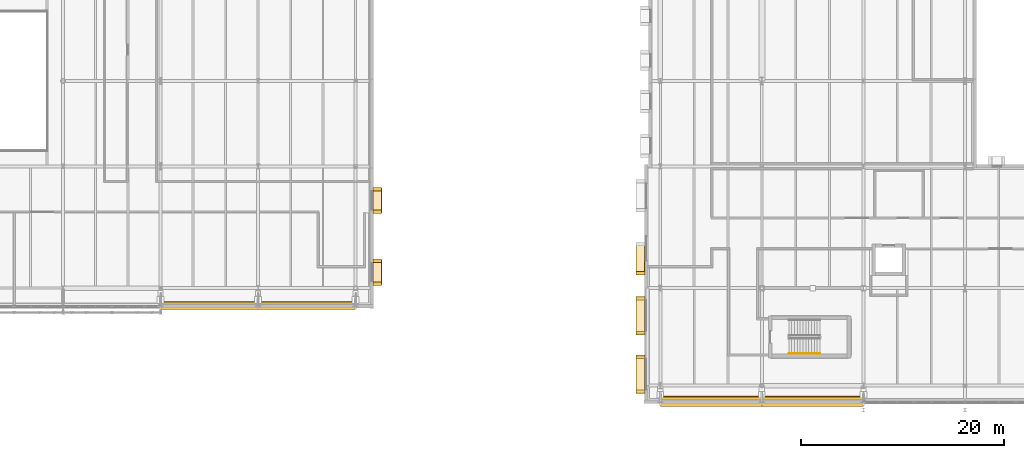
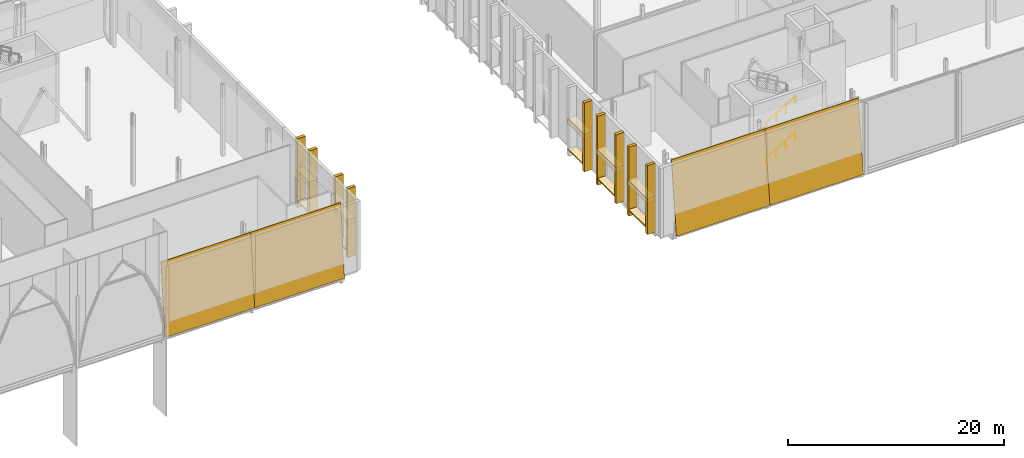
# One storey, part 74 of 79: 23 coverings, 2 railings.
"""IFC4 building model written with IfcOpenShell, lengths in metres."""

from ifc_helpers import new_model, si_unit, direction, frame, origin, origin_2d, place, context, subcontext, project, spatial, polyline, rectangle, circle, outline, extrude, material, layer, layer_set, type_object, element, save


model = new_model("IFC4")

# Units and contexts
model_context = context("Model", 3, precision=1e-05, world=origin(), true_north=direction((0.0, 1.0)))
body_context = subcontext(model_context, "Body", "Model", "MODEL_VIEW")
ifc_project = project(units=[si_unit("LENGTHUNIT", "METRE"), si_unit("AREAUNIT", "SQUARE_METRE"), si_unit("VOLUMEUNIT", "CUBIC_METRE"), si_unit("PLANEANGLEUNIT", "RADIAN"), si_unit("MASSUNIT", "GRAM", prefix="KILO")], contexts=[model_context])

# Site, building, storey
site_placement = place(None, origin())
site = spatial("IfcSite", under=ifc_project, at=site_placement, CompositionType="ELEMENT")
building_placement = place(site_placement, origin())
building = spatial("IfcBuilding", under=site, at=building_placement, Name="Zereglee Splitstone Museum", CompositionType="ELEMENT")
storey_placement = place(building_placement, frame((0.0, 0.0, 9.0)))
storey = spatial("IfcBuildingStorey", under=building, at=storey_placement, Name="L02", CompositionType="ELEMENT", Elevation=9.0)

# Coverings
ifc_material_1 = material(Name="Honed Gobi pale limestone stringcourse and soffit cladding", Category="masonry")
ifc_layer_1 = layer(ifc_material_1, 0.070068359375)
ifc_layer_set_1 = layer_set([ifc_layer_1], Name="Honed Gobi pale limestone stringcourse and soffit cladding")
covering_type_1 = type_object("IfcCoveringType", Name="CL-02", PredefinedType="CLADDING", material=ifc_layer_set_1)
covering_1_placement = place(storey_placement, frame((173.2548828125, 11.090087890625, 0.0), z_axis=(0.0, 0.0, 1.0), x_axis=(0.0, -1.0, 0.0)))
element("IfcCovering", 1, at=covering_1_placement, inside=storey, type_object=covering_type_1, Name="Mughal Window Reveal Stone Pilaster L02-0064R", PredefinedType="CLADDING", context=body_context, shape_type="SweptSolid", body=[
    extrude(rectangle(XDim=0.340087890625, YDim=0.860107421875, at=origin_2d()), origin(), (0.0, 0.0, 1.0), 7.800048828125),
])
covering_2_placement = place(storey_placement, frame((173.2451171875, 12.510009765625, 0.659912109375), z_axis=(0.0, 0.0, 1.0), x_axis=(0.0, -1.0, 0.0)))
element("IfcCovering", 2, at=covering_2_placement, inside=storey, type_object=covering_type_1, Name="Carved Limestone Window Sill L02-0064", PredefinedType="CLADDING", context=body_context, shape_type="SweptSolid", body=[
    extrude(rectangle(XDim=3.0400390625, YDim=0.840087890625, at=origin_2d()), origin(), (0.0, 0.0, 1.0), 0.1201171875),
])
for number, where, z_axis, x_axis, name in (
    (3, (173.2548828125, 8.610107421875, 0.0), (0.0, 0.0, 1.0), (0.0, -1.0, 0.0), "Mughal Window Reveal Stone Pilaster L02-0065L"),
    (4, (173.2548828125, 5.169921875, 0.0), (0.0, 0.0, 1.0), (0.0, -1.0, 0.0), "Mughal Window Reveal Stone Pilaster L02-0065R"),
):
    element("IfcCovering", number, at=place(storey_placement, frame(where, z_axis=z_axis, x_axis=x_axis)), inside=storey, type_object=covering_type_1, Name=name, PredefinedType="CLADDING", context=body_context, shape_type="SweptSolid", body=[
        extrude(rectangle(XDim=0.340087890625, YDim=0.860107421875, at=origin_2d()), origin(), (0.0, 0.0, 1.0), 7.800048828125),
    ])
covering_3_placement = place(storey_placement, frame((173.2451171875, 6.889892578125, 0.659912109375), z_axis=(0.0, 0.0, 1.0), x_axis=(0.0, -1.0, 0.0)))
element("IfcCovering", 5, at=covering_3_placement, inside=storey, type_object=covering_type_1, Name="Carved Limestone Window Sill L02-0065", PredefinedType="CLADDING", context=body_context, shape_type="SweptSolid", body=[
    extrude(rectangle(XDim=3.639892578125, YDim=0.840087890625, at=origin_2d()), origin(), (0.0, 0.0, 1.0), 0.1201171875),
])
for number, where, z_axis, x_axis, name in (
    (6, (173.2548828125, 2.830078125, 0.0), (0.0, 0.0, 1.0), (0.0, -1.0, 0.0), "Mughal Window Reveal Stone Pilaster L02-0066L"),
    (7, (173.2548828125, -0.610107421875, 0.0), (0.0, 0.0, 1.0), (0.0, -1.0, 0.0), "Mughal Window Reveal Stone Pilaster L02-0066R"),
):
    element("IfcCovering", number, at=place(storey_placement, frame(where, z_axis=z_axis, x_axis=x_axis)), inside=storey, type_object=covering_type_1, Name=name, PredefinedType="CLADDING", context=body_context, shape_type="SweptSolid", body=[
        extrude(rectangle(XDim=0.340087890625, YDim=0.860107421875, at=origin_2d()), origin(), (0.0, 0.0, 1.0), 7.800048828125),
    ])
covering_4_placement = place(storey_placement, frame((173.2451171875, 1.110107421875, 0.659912109375), z_axis=(0.0, 0.0, 1.0), x_axis=(0.0, -1.0, 0.0)))
element("IfcCovering", 8, at=covering_4_placement, inside=storey, type_object=covering_type_1, Name="Carved Limestone Window Sill L02-0066", PredefinedType="CLADDING", context=body_context, shape_type="SweptSolid", body=[
    extrude(rectangle(XDim=3.639892578125, YDim=0.840087890625, at=origin_2d()), origin(), (0.0, 0.0, 1.0), 0.1201171875),
])
for number, where, z_axis, x_axis, name in (
    (9, (147.344970703125, 10.0400390625, 0.0), (0.0, 0.0, 1.0), (0.0, 1.0, 0.0), "Mughal Window Reveal Stone Pilaster L02-0101L"),
    (10, (147.344970703125, 12.280029296875, 0.0), (0.0, 0.0, 1.0), (0.0, 1.0, 0.0), "Mughal Window Reveal Stone Pilaster L02-0101R"),
):
    element("IfcCovering", number, at=place(storey_placement, frame(where, z_axis=z_axis, x_axis=x_axis)), inside=storey, type_object=covering_type_1, Name=name, PredefinedType="CLADDING", context=body_context, shape_type="SweptSolid", body=[
        extrude(rectangle(XDim=0.340087890625, YDim=0.860107421875, at=origin_2d()), origin(), (0.0, 0.0, 1.0), 7.800048828125),
    ])
covering_5_placement = place(storey_placement, frame((147.35498046875, 11.159912109375, 0.659912109375), z_axis=(0.0, 0.0, 1.0), x_axis=(0.0, 1.0, 0.0)))
element("IfcCovering", 11, at=covering_5_placement, inside=storey, type_object=covering_type_1, Name="Carved Limestone Window Sill L02-0101", PredefinedType="CLADDING", context=body_context, shape_type="SweptSolid", body=[
    extrude(rectangle(XDim=2.43994140625, YDim=0.840087890625, at=origin_2d()), origin(), (0.0, 0.0, 1.0), 0.1201171875),
])
for number, where, z_axis, x_axis, name in (
    (12, (147.344970703125, 17.1201171875, 0.0), (0.0, 0.0, 1.0), (0.0, 1.0, 0.0), "Mughal Window Reveal Stone Pilaster L02-0102L"),
    (13, (147.344970703125, 19.360107421875, 0.0), (0.0, 0.0, 1.0), (0.0, 1.0, 0.0), "Mughal Window Reveal Stone Pilaster L02-0102R"),
):
    element("IfcCovering", number, at=place(storey_placement, frame(where, z_axis=z_axis, x_axis=x_axis)), inside=storey, type_object=covering_type_1, Name=name, PredefinedType="CLADDING", context=body_context, shape_type="SweptSolid", body=[
        extrude(rectangle(XDim=0.340087890625, YDim=0.860107421875, at=origin_2d()), origin(), (0.0, 0.0, 1.0), 7.800048828125),
    ])
covering_6_placement = place(storey_placement, frame((147.35498046875, 18.239990234375, 0.659912109375), z_axis=(0.0, 0.0, 1.0), x_axis=(0.0, 1.0, 0.0)))
element("IfcCovering", 14, at=covering_6_placement, inside=storey, type_object=covering_type_1, Name="Carved Limestone Window Sill L02-0102", PredefinedType="CLADDING", context=body_context, shape_type="SweptSolid", body=[
    extrude(rectangle(XDim=2.43994140625, YDim=0.840087890625, at=origin_2d()), origin(), (0.0, 0.0, 1.0), 0.1201171875),
])
covering_7_placement = place(storey_placement, frame((126.0, 7.4892578125, -0.25), z_axis=(0.0, -0.995861160371, 0.090887563856), x_axis=(1.0, 0.0, 0.0)))
element("IfcCovering", 15, at=covering_7_placement, inside=storey, type_object=covering_type_1, Name="Split-Rock Continuous Inclined Facet FH-V2SE L02.1", PredefinedType="CLADDING", context=body_context, shape_type="SweptSolid", body=[
    extrude(outline(polyline([(0.0, 0.0), (9.60009765625, 0.0), (9.60009765625, 8.133761992714629), (0.0, 8.133761992714629), (0.0, 0.0)])), origin(), (0.0, 0.0, -1.0), 0.070068359375),
])
covering_8_placement = place(storey_placement, frame((135.60009765625, 7.4892578125, -0.25), z_axis=(0.0, -0.995861160371, 0.090887563856), x_axis=(1.0, 0.0, 0.0)))
element("IfcCovering", 16, at=covering_8_placement, inside=storey, type_object=covering_type_1, Name="Split-Rock Continuous Inclined Facet FH-V2SE L02.2", PredefinedType="CLADDING", context=body_context, shape_type="SweptSolid", body=[
    extrude(outline(polyline([(0.0, 0.0), (9.599853515625, 0.0), (9.599853515625, 8.133761992714629), (0.0, 8.133761992714629), (0.0, 0.0)])), origin(), (0.0, 0.0, -1.0), 0.070068359375),
])
ifc_material_2 = material(Name="Honed Khoroo red sandstone ventilated rainscreen", Category="masonry")
ifc_layer_2 = layer(ifc_material_2, 0.080078125)
ifc_layer_set_2 = layer_set([ifc_layer_2], Name="Honed Khoroo red sandstone ventilated rainscreen")
covering_type_2 = type_object("IfcCoveringType", Name="CL-01", PredefinedType="CLADDING", material=ifc_layer_set_2)
covering_9_placement = place(storey_placement, frame((173.2451171875, 12.510009765625, 3.659912109375), z_axis=(0.0, 0.0, 1.0), x_axis=(0.0, -1.0, 0.0)))
element("IfcCovering", 17, at=covering_9_placement, inside=storey, type_object=covering_type_2, Name="Pointed-Arch Mughal Window Hood L02-0064", PredefinedType="CLADDING", context=body_context, shape_type="SweptSolid", body=[
    extrude(rectangle(XDim=3.0400390625, YDim=0.860107421875, at=origin_2d()), origin(), (0.0, 0.0, 1.0), 0.580078125),
])
for number, where, z_axis, x_axis, name in (
    (18, (173.2451171875, 6.889892578125, 3.4599609375), (0.0, 0.0, 1.0), (0.0, -1.0, 0.0), "Pointed-Arch Mughal Window Hood L02-0065"),
    (19, (173.2451171875, 1.110107421875, 3.4599609375), (0.0, 0.0, 1.0), (0.0, -1.0, 0.0), "Pointed-Arch Mughal Window Hood L02-0066"),
):
    element("IfcCovering", number, at=place(storey_placement, frame(where, z_axis=z_axis, x_axis=x_axis)), inside=storey, type_object=covering_type_2, Name=name, PredefinedType="CLADDING", context=body_context, shape_type="SweptSolid", body=[
        extrude(rectangle(XDim=3.639892578125, YDim=0.860107421875, at=origin_2d()), origin(), (0.0, 0.0, 1.0), 0.580078125),
    ])
for number, where, z_axis, x_axis, name in (
    (20, (147.35498046875, 11.159912109375, 3.659912109375), (0.0, 0.0, 1.0), (0.0, 1.0, 0.0), "Pointed-Arch Mughal Window Hood L02-0101"),
    (21, (147.35498046875, 18.239990234375, 3.659912109375), (0.0, 0.0, 1.0), (0.0, 1.0, 0.0), "Pointed-Arch Mughal Window Hood L02-0102"),
):
    element("IfcCovering", number, at=place(storey_placement, frame(where, z_axis=z_axis, x_axis=x_axis)), inside=storey, type_object=covering_type_2, Name=name, PredefinedType="CLADDING", context=body_context, shape_type="SweptSolid", body=[
        extrude(rectangle(XDim=2.43994140625, YDim=0.860107421875, at=origin_2d()), origin(), (0.0, 0.0, 1.0), 0.580078125),
    ])
for number, where, z_axis, x_axis, name in (
    (22, (175.199951171875, -2.032958984375, -0.25), (0.0, -0.993713085607, 0.111956703659), (1.0, 0.0, 0.0), "Split-Rock Continuous Inclined Facet FH-V3S L02.1"),
    (23, (185.199951171875, -2.032958984375, -0.25), (0.0, -0.993713085607, 0.111956703659), (1.0, 0.0, 0.0), "Split-Rock Continuous Inclined Facet FH-V3S L02.2"),
):
    element("IfcCovering", number, at=place(storey_placement, frame(where, z_axis=z_axis, x_axis=x_axis)), inside=storey, type_object=covering_type_2, Name=name, PredefinedType="CLADDING", context=body_context, shape_type="SweptSolid", body=[
        extrude(outline(polyline([(0.0, 0.0), (10.0, 0.0), (10.0, 8.151344461067739), (0.0, 8.151344461067739), (0.0, 0.0)])), origin(), (0.0, 0.0, -1.0), 0.080078125),
    ])

# Railings
ifc_material_3 = material(Name="Architectural bronze tubular handrail", Category="steel")
railing_type = type_object("IfcRailingType", Name="HR-01", PredefinedType="HANDRAIL", material=ifc_material_3)
for number, where, name in (
    (24, (187.85009765625, 3.14990234375, 0.168701171875), "L02 ST-04 stair handrail 1"),
    (25, (187.85009765625, 3.14990234375, 4.21875), "L02 ST-04 stair handrail 3"),
):
    element("IfcRailing", number, at=place(storey_placement, frame(where)), inside=storey, type_object=railing_type, Name=name, PredefinedType="HANDRAIL", context=body_context, shape_type="SweptSolid", body=[
        extrude(circle(Radius=0.02392578125, at=origin_2d()), frame((0.0, 0.0, 0.8759765625), z_axis=(0.8564728477, 0.0, 0.51619207777), x_axis=(0.0, 1.0, 0.0)), (0.0, 0.0, 1.0), 3.595947265625),
        extrude(circle(Radius=0.02099609375, at=origin_2d()), origin(), (0.0, 0.0, 1.0), 0.851806640625),
        extrude(circle(Radius=0.02099609375, at=origin_2d()), frame((1.026611328125, 0.0, 0.61865234375)), (0.0, 0.0, 1.0), 0.851806640625),
        extrude(circle(Radius=0.02099609375, at=origin_2d()), frame((2.05322265625, 0.0, 1.237548828125)), (0.0, 0.0, 1.0), 0.851806640625),
        extrude(circle(Radius=0.02099609375, at=origin_2d()), frame((3.079833984375, 0.0, 1.856201171875)), (0.0, 0.0, 1.0), 0.851806640625),
    ])

save(model, "model.ifc")
